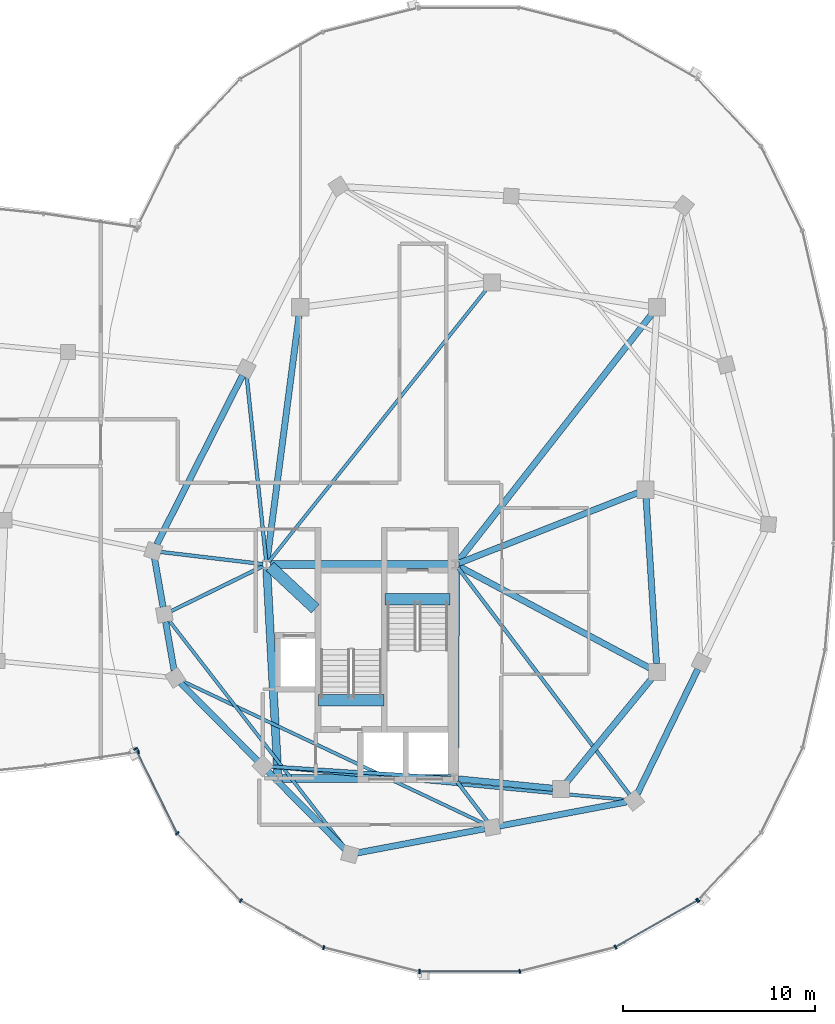
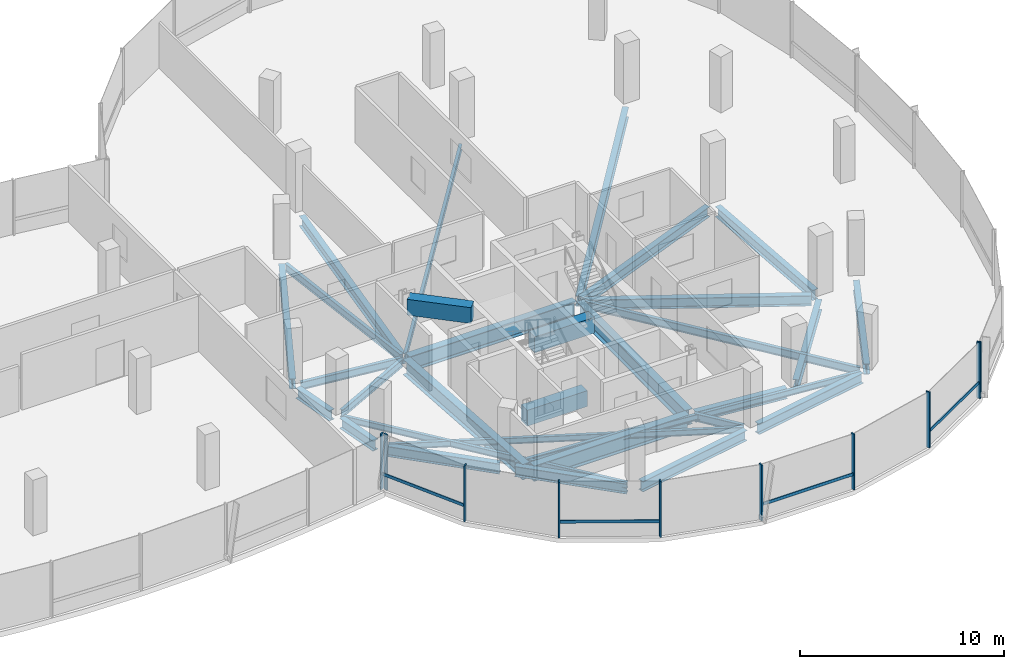
# One storey, part 8 of 25: 32 beams, 14 members, 3 elements without a shape of their own.
"""IFC4 building model written with IfcOpenShell, lengths in metres."""

from ifc_helpers import new_model, si_unit, direction, frame, origin, origin_2d, place, context, subcontext, project, spatial, rectangle, i_section, extrude, material, material_profile, profile_set, type_object, element, aggregate, save


model = new_model("IFC4")

# Units and contexts
model_context = context("Model", 3, precision=1e-05, world=origin(), true_north=direction((0.0, 1.0)))
body_context = subcontext(model_context, "Body", "Model", "MODEL_VIEW")
ifc_project = project(units=[si_unit("LENGTHUNIT", "METRE"), si_unit("AREAUNIT", "SQUARE_METRE"), si_unit("VOLUMEUNIT", "CUBIC_METRE"), si_unit("PLANEANGLEUNIT", "RADIAN"), si_unit("MASSUNIT", "GRAM", prefix="KILO"), si_unit("THERMODYNAMICTEMPERATUREUNIT", "KELVIN"), si_unit("POWERUNIT", "WATT")], contexts=[model_context])

# Site, building, storey
site_placement = place(None, origin())
site = spatial("IfcSite", under=ifc_project, at=site_placement, CompositionType="ELEMENT")
building_placement = place(site_placement, origin())
building = spatial("IfcBuilding", under=site, at=building_placement, Name="Cundina Bronze Exchange", CompositionType="ELEMENT")
storey_placement = place(building_placement, frame((0.0, 0.0, 272.0)))
storey = spatial("IfcBuildingStorey", under=building, at=storey_placement, Name="L72", CompositionType="ELEMENT", Elevation=272.0)

# Beams
ifc_material_1 = material(Name="Concrete C60/75", Category="concrete")
ifc_material_profile_1 = material_profile(ifc_material_1, rectangle(XDim=0.60009765625, YDim=0.949951171875, at=origin_2d()), Name="RC600X950", Category="concrete")
ifc_profile_set_1 = profile_set([ifc_material_profile_1], Name="Concrete C60/75")
beam_type_1 = type_object("IfcBeamType", Name="BM-COUP-RC950", PredefinedType="LINTEL", material=ifc_profile_set_1)
beam_1_placement = place(storey_placement, frame((27.6201171875, -5.719970703125, -0.47509765625), z_axis=(1.0, 0.0, 0.0), x_axis=(0.0, 1.0, 0.0)))
element("IfcBeam", 1, at=beam_1_placement, inside=storey, type_object=beam_type_1, Name="L72 Stair E1 Landing Header Beam", PredefinedType="LINTEL", context=body_context, shape_type="SweptSolid", body=[
    extrude(rectangle(XDim=0.60009765625, YDim=0.949951171875, at=origin_2d()), origin(), (0.0, 0.0, 1.0), 3.39990234375),
])
beam_2_placement = place(storey_placement, frame((24.159912109375, -10.97998046875, -0.47509765625), z_axis=(1.0, 0.0, 0.0), x_axis=(0.0, 1.0, 0.0)))
element("IfcBeam", 2, at=beam_2_placement, inside=storey, type_object=beam_type_1, Name="L72 Stair E2 Landing Header Beam", PredefinedType="LINTEL", context=body_context, shape_type="SweptSolid", body=[
    extrude(rectangle(XDim=0.60009765625, YDim=0.949951171875, at=origin_2d()), origin(), (0.0, 0.0, 1.0), 3.400146484375),
])
beam_3_placement = place(storey_placement, frame((21.6298828125, -4.0, 2.864990234375), z_axis=(0.731490439815, -0.681851696822, 0.0), x_axis=(0.681851696822, 0.731490439815, 0.0)))
element("IfcBeam", 3, at=beam_3_placement, inside=storey, type_object=beam_type_1, Name="L72 E Core Shear Coupling Lintel Beam", PredefinedType="LINTEL", context=body_context, shape_type="SweptSolid", body=[
    extrude(rectangle(XDim=0.60009765625, YDim=0.949951171875, at=origin_2d()), origin(), (0.0, 0.0, 1.0), 3.226318359375),
])
ifc_material_2 = material(Name="Steel ASTM A992 Grade 50", Category="steel")
ifc_material_profile_2 = material_profile(ifc_material_2, i_section(OverallWidth=0.19091796875, OverallDepth=0.4599609375, WebThickness=0.010009765625, FlangeThickness=0.01611328125, FilletRadius=0.011962890625, at=origin_2d()), Name="W18X55", Category="steel")
ifc_profile_set_2 = profile_set([ifc_material_profile_2], Name="Steel ASTM A992 Grade 50")
beam_type_2 = type_object("IfcBeamType", Name="BM-FLR-W18B", PredefinedType="BEAM", material=ifc_profile_set_2)
beam_4_placement = place(storey_placement, frame((21.25537109375, -3.876953125, -0.489990234375), z_axis=(-0.993031892142, 0.117845921393, 0.0), x_axis=(-0.117845921393, -0.993031892142, 0.0)))
element("IfcBeam", 4, at=beam_4_placement, inside=storey, type_object=beam_type_2, Name="L72 Leg E Chordal Floor Beam 00", PredefinedType="BEAM", context=body_context, shape_type="SweptSolid", body=[
    extrude(i_section(OverallWidth=0.19091796875, OverallDepth=0.4599609375, WebThickness=0.010009765625, FlangeThickness=0.01611328125, FilletRadius=0.011962890625, at=origin_2d()), origin(), (0.0, 0.0, 1.0), 5.357421875),
])
beam_5_placement = place(storey_placement, frame((21.27392578125, -3.986083984375, -0.489990234375), z_axis=(-0.898610260891, -0.438747762412, 0.0), x_axis=(0.438747762412, -0.898610260891, 0.0)))
element("IfcBeam", 5, at=beam_5_placement, inside=storey, type_object=beam_type_2, Name="L72 Leg E Chordal Floor Beam 01", PredefinedType="BEAM", context=body_context, shape_type="SweptSolid", body=[
    extrude(i_section(OverallWidth=0.19091796875, OverallDepth=0.4599609375, WebThickness=0.010009765625, FlangeThickness=0.01611328125, FilletRadius=0.011962890625, at=origin_2d()), origin(), (0.0, 0.0, 1.0), 5.341796875),
])
beam_6_placement = place(storey_placement, frame((31.054443359375, -15.037353515625, -0.489990234375), z_axis=(-0.997894580734, 0.064856809527, 0.0), x_axis=(-0.064856809527, -0.997894580734, 0.0)))
element("IfcBeam", 6, at=beam_6_placement, inside=storey, type_object=beam_type_2, Name="L72 Leg E Chordal Floor Beam 03", PredefinedType="BEAM", context=body_context, shape_type="SweptSolid", body=[
    extrude(i_section(OverallWidth=0.19091796875, OverallDepth=0.4599609375, WebThickness=0.010009765625, FlangeThickness=0.01611328125, FilletRadius=0.011962890625, at=origin_2d()), origin(), (0.0, 0.0, 1.0), 9.43701171875),
])
beam_7_placement = place(storey_placement, frame((31.369140625, -15.205810546875, -0.489990234375), z_axis=(0.607470812638, -0.794341999263, 0.0), x_axis=(0.794341999263, 0.607470812638, 0.0)))
element("IfcBeam", 7, at=beam_7_placement, inside=storey, type_object=beam_type_2, Name="L72 Leg E Chordal Floor Beam 05", PredefinedType="BEAM", context=body_context, shape_type="SweptSolid", body=[
    extrude(i_section(OverallWidth=0.19091796875, OverallDepth=0.4599609375, WebThickness=0.010009765625, FlangeThickness=0.01611328125, FilletRadius=0.011962890625, at=origin_2d()), origin(), (0.0, 0.0, 1.0), 2.6259765625),
])
beam_8_placement = place(storey_placement, frame((31.418212890625, -4.056396484375, -0.489990234375), z_axis=(0.603112871583, -0.797655855699, 0.0), x_axis=(0.797655855699, 0.603112871583, 0.0)))
element("IfcBeam", 8, at=beam_8_placement, inside=storey, type_object=beam_type_2, Name="L72 Leg E Chordal Floor Beam 06", PredefinedType="BEAM", context=body_context, shape_type="SweptSolid", body=[
    extrude(i_section(OverallWidth=0.19091796875, OverallDepth=0.4599609375, WebThickness=0.010009765625, FlangeThickness=0.01611328125, FilletRadius=0.011962890625, at=origin_2d()), origin(), (0.0, 0.0, 1.0), 14.8359375),
])
beam_9_placement = place(storey_placement, frame((21.429443359375, -3.705078125, -0.489990234375), z_axis=(-0.10480040809, 0.994493275223, 0.0), x_axis=(-0.994493275223, -0.10480040809, 0.0)))
element("IfcBeam", 9, at=beam_9_placement, inside=storey, type_object=beam_type_2, Name="L72 Leg E Chordal Floor Beam 13", PredefinedType="BEAM", context=body_context, shape_type="SweptSolid", body=[
    extrude(i_section(OverallWidth=0.19091796875, OverallDepth=0.4599609375, WebThickness=0.010009765625, FlangeThickness=0.01611328125, FilletRadius=0.011962890625, at=origin_2d()), origin(), (0.0, 0.0, 1.0), 9.67236328125),
])
ifc_material_profile_3 = material_profile(ifc_material_2, i_section(OverallWidth=0.172119140625, OverallDepth=0.35791015625, WebThickness=0.0078125, FlangeThickness=0.01318359375, FilletRadius=0.010009765625, at=origin_2d()), Name="W14X38", Category="steel")
ifc_profile_set_3 = profile_set([ifc_material_profile_3], Name="Steel ASTM A992 Grade 50")
beam_type_3 = type_object("IfcBeamType", Name="BM-JST-W14", PredefinedType="JOIST", material=ifc_profile_set_3)
beam_10_placement = place(storey_placement, frame((21.572509765625, -3.746826171875, -0.43896484375), z_axis=(0.624364266872, 0.781133319129, 0.0), x_axis=(-0.781133319129, 0.624364266872, 0.0)))
element("IfcBeam", 10, at=beam_10_placement, inside=storey, type_object=beam_type_3, Name="L72 E Interior Core-to-Ring Joist 2", PredefinedType="JOIST", context=body_context, shape_type="SweptSolid", body=[
    extrude(i_section(OverallWidth=0.172119140625, OverallDepth=0.35791015625, WebThickness=0.0078125, FlangeThickness=0.01318359375, FilletRadius=0.010009765625, at=origin_2d()), origin(), (0.0, 0.0, 1.0), 18.184814453125),
])
beam_11_placement = place(storey_placement, frame((16.362548828125, -6.806884765625, -0.43896484375), z_axis=(0.612077855816, -0.790797507849, 0.0), x_axis=(0.790797507849, 0.612077855816, 0.0)))
element("IfcBeam", 11, at=beam_11_placement, inside=storey, type_object=beam_type_3, Name="L72 Leg E Lobe Floor Joist 01-04", PredefinedType="JOIST", context=body_context, shape_type="SweptSolid", body=[
    extrude(i_section(OverallWidth=0.172119140625, OverallDepth=0.35791015625, WebThickness=0.0078125, FlangeThickness=0.01318359375, FilletRadius=0.010009765625, at=origin_2d()), origin(), (0.0, 0.0, 1.0), 15.03076171875),
])
beam_12_placement = place(storey_placement, frame((17.05078125, -9.9658203125, -0.43896484375), z_axis=(0.904073247994, -0.427377540661, 0.0), x_axis=(0.427377540661, 0.904073247994, 0.0)))
element("IfcBeam", 12, at=beam_12_placement, inside=storey, type_object=beam_type_3, Name="L72 Leg E Lobe Floor Joist 02-05", PredefinedType="JOIST", context=body_context, shape_type="SweptSolid", body=[
    extrude(i_section(OverallWidth=0.172119140625, OverallDepth=0.35791015625, WebThickness=0.0078125, FlangeThickness=0.01318359375, FilletRadius=0.010009765625, at=origin_2d()), origin(), (0.0, 0.0, 1.0), 17.474609375),
])
beam_13_placement = place(storey_placement, frame((21.63623046875, -14.435791015625, -0.43896484375), z_axis=(0.995700514338, -0.092630911398, 0.0), x_axis=(0.092630911398, 0.995700514338, 0.0)))
element("IfcBeam", 13, at=beam_13_placement, inside=storey, type_object=beam_type_3, Name="L72 Leg E Lobe Floor Joist 03-06", PredefinedType="JOIST", context=body_context, shape_type="SweptSolid", body=[
    extrude(i_section(OverallWidth=0.172119140625, OverallDepth=0.35791015625, WebThickness=0.0078125, FlangeThickness=0.01318359375, FilletRadius=0.010009765625, at=origin_2d()), origin(), (0.0, 0.0, 1.0), 18.65771484375),
])
ifc_material_profile_4 = material_profile(ifc_material_2, i_section(OverallWidth=0.324951171875, OverallDepth=0.615966796875, WebThickness=0.013916015625, FlangeThickness=0.021484375, FilletRadius=0.01611328125, at=origin_2d()), Name="W24X117", Category="steel")
ifc_profile_set_4 = profile_set([ifc_material_profile_4], Name="Steel ASTM A992 Grade 50")
beam_type_4 = type_object("IfcBeamType", Name="BM-RING-W24", PredefinedType="USERDEFINED", material=ifc_profile_set_4)
beam_14_placement = place(storey_placement, frame((31.445068359375, -15.0693359375, -0.568115234375), z_axis=(0.995123854478, -0.09863323096, 0.0), x_axis=(0.09863323096, 0.995123854478, 0.0)))
element("IfcBeam", 14, at=beam_14_placement, inside=storey, type_object=beam_type_4, Name="L72 E Inner Structural Ring Girder 01", ObjectType="GIRDER", PredefinedType="USERDEFINED", context=body_context, shape_type="SweptSolid", body=[
    extrude(i_section(OverallWidth=0.324951171875, OverallDepth=0.615966796875, WebThickness=0.013916015625, FlangeThickness=0.021484375, FilletRadius=0.01611328125, at=origin_2d()), origin(), (0.0, 0.0, 1.0), 4.943115234375),
])
beam_15_placement = place(storey_placement, frame((37.07763671875, -15.26123046875, -0.568115234375), z_axis=(0.633912590175, 0.77340469873, 0.0), x_axis=(-0.77340469873, 0.633912590175, 0.0)))
element("IfcBeam", 15, at=beam_15_placement, inside=storey, type_object=beam_type_4, Name="L72 E Inner Structural Ring Girder 02", ObjectType="GIRDER", PredefinedType="USERDEFINED", context=body_context, shape_type="SweptSolid", body=[
    extrude(i_section(OverallWidth=0.324951171875, OverallDepth=0.615966796875, WebThickness=0.013916015625, FlangeThickness=0.021484375, FilletRadius=0.01611328125, at=origin_2d()), origin(), (0.0, 0.0, 1.0), 7.01123046875),
])
beam_16_placement = place(storey_placement, frame((41.7724609375, -9.06298828125, -0.568115234375), z_axis=(-0.063046519736, 0.998010589297, 0.0), x_axis=(-0.998010589297, -0.063046519736, 0.0)))
element("IfcBeam", 16, at=beam_16_placement, inside=storey, type_object=beam_type_4, Name="L72 E Inner Structural Ring Girder 03", ObjectType="GIRDER", PredefinedType="USERDEFINED", context=body_context, shape_type="SweptSolid", body=[
    extrude(i_section(OverallWidth=0.324951171875, OverallDepth=0.615966796875, WebThickness=0.013916015625, FlangeThickness=0.021484375, FilletRadius=0.01611328125, at=origin_2d()), origin(), (0.0, 0.0, 1.0), 8.64306640625),
])
beam_17_placement = place(storey_placement, frame((23.143310546875, 9.065673828125, -0.568115234375), z_axis=(-0.129501251979, -0.991579258424, 0.0), x_axis=(0.991579258424, -0.129501251979, 0.0)))
element("IfcBeam", 17, at=beam_17_placement, inside=storey, type_object=beam_type_4, Name="L72 E Inner Structural Ring Girder 07", ObjectType="GIRDER", PredefinedType="USERDEFINED", context=body_context, shape_type="SweptSolid", body=[
    extrude(i_section(OverallWidth=0.324951171875, OverallDepth=0.615966796875, WebThickness=0.013916015625, FlangeThickness=0.021484375, FilletRadius=0.01611328125, at=origin_2d()), origin(), (0.0, 0.0, 1.0), 12.8798828125),
])
beam_18_placement = place(storey_placement, frame((31.482421875, -3.828125, -0.568115234375), z_axis=(0.930404106569, 0.366535398673, 0.0), x_axis=(-0.366535398673, 0.930404106569, 0.0)))
element("IfcBeam", 18, at=beam_18_placement, inside=storey, type_object=beam_type_4, Name="L72 E Core-to-Waist Tie Beam 1", ObjectType="GIRDER", PredefinedType="USERDEFINED", context=body_context, shape_type="SweptSolid", body=[
    extrude(i_section(OverallWidth=0.324951171875, OverallDepth=0.615966796875, WebThickness=0.013916015625, FlangeThickness=0.021484375, FilletRadius=0.01611328125, at=origin_2d()), origin(), (0.0, 0.0, 1.0), 10.00634765625),
])
beam_19_placement = place(storey_placement, frame((31.472900390625, -3.9921875, -0.568115234375), z_axis=(0.882350541683, -0.470592734317, 0.0), x_axis=(0.470592734317, 0.882350541683, 0.0)))
element("IfcBeam", 19, at=beam_19_placement, inside=storey, type_object=beam_type_4, Name="L72 E Core-to-Waist Tie Beam 2", ObjectType="GIRDER", PredefinedType="USERDEFINED", context=body_context, shape_type="SweptSolid", body=[
    extrude(i_section(OverallWidth=0.324951171875, OverallDepth=0.615966796875, WebThickness=0.013916015625, FlangeThickness=0.021484375, FilletRadius=0.01611328125, at=origin_2d()), origin(), (0.0, 0.0, 1.0), 11.26611328125),
])
beam_20_placement = place(storey_placement, frame((31.4208984375, -3.74560546875, -0.568115234375), z_axis=(0.616782900053, 0.787133314123, 0.0), x_axis=(-0.787133314123, 0.616782900053, 0.0)))
element("IfcBeam", 20, at=beam_20_placement, inside=storey, type_object=beam_type_4, Name="L72 E Core-to-Waist Tie Beam 3", ObjectType="GIRDER", PredefinedType="USERDEFINED", context=body_context, shape_type="SweptSolid", body=[
    extrude(i_section(OverallWidth=0.324951171875, OverallDepth=0.615966796875, WebThickness=0.013916015625, FlangeThickness=0.021484375, FilletRadius=0.01611328125, at=origin_2d()), origin(), (0.0, 0.0, 1.0), 16.3896484375),
])
for number, where, z_axis, x_axis, name in (
    (21, (15.61669921875, -3.582275390625, -0.568115234375), (0.171593362587, -0.985167862811, 0.0), (0.985167862811, 0.171593362587, 0.0), "L72 E Perimeter Ring Girder 00"),
    (22, (16.191650390625, -6.882080078125, -0.568115234375), (0.171593362587, -0.985167862811, 0.0), (0.985167862811, 0.171593362587, 0.0), "L72 E Perimeter Ring Girder 01"),
):
    element("IfcBeam", number, at=place(storey_placement, frame(where, z_axis=z_axis, x_axis=x_axis)), inside=storey, type_object=beam_type_4, Name=name, ObjectType="GIRDER", PredefinedType="USERDEFINED", context=body_context, shape_type="SweptSolid", body=[
        extrude(i_section(OverallWidth=0.324951171875, OverallDepth=0.615966796875, WebThickness=0.013916015625, FlangeThickness=0.021484375, FilletRadius=0.01611328125, at=origin_2d()), origin(), (0.0, 0.0, 1.0), 2.57373046875),
    ])
beam_21_placement = place(storey_placement, frame((16.972900390625, -10.075927734375, -0.568115234375), z_axis=(0.703237257446, -0.710955244541, 0.0), x_axis=(0.710955244541, 0.703237257446, 0.0)))
element("IfcBeam", 23, at=beam_21_placement, inside=storey, type_object=beam_type_4, Name="L72 E Perimeter Ring Girder 02", ObjectType="GIRDER", PredefinedType="USERDEFINED", context=body_context, shape_type="SweptSolid", body=[
    extrude(i_section(OverallWidth=0.324951171875, OverallDepth=0.615966796875, WebThickness=0.013916015625, FlangeThickness=0.021484375, FilletRadius=0.01611328125, at=origin_2d()), origin(), (0.0, 0.0, 1.0), 5.69384765625),
])
beam_22_placement = place(storey_placement, frame((21.52294921875, -14.67578125, -0.568115234375), z_axis=(0.703215820204, -0.710976448425, 0.0), x_axis=(0.710976448425, 0.703215820204, 0.0)))
element("IfcBeam", 24, at=beam_22_placement, inside=storey, type_object=beam_type_4, Name="L72 E Perimeter Ring Girder 03", ObjectType="GIRDER", PredefinedType="USERDEFINED", context=body_context, shape_type="SweptSolid", body=[
    extrude(i_section(OverallWidth=0.324951171875, OverallDepth=0.615966796875, WebThickness=0.013916015625, FlangeThickness=0.021484375, FilletRadius=0.01611328125, at=origin_2d()), origin(), (0.0, 0.0, 1.0), 5.694091796875),
])
beam_23_placement = place(storey_placement, frame((26.18115234375, -18.927978515625, -0.568115234375), z_axis=(0.982568104771, 0.185902984072, 0.0), x_axis=(-0.185902984072, 0.982568104771, 0.0)))
element("IfcBeam", 25, at=beam_23_placement, inside=storey, type_object=beam_type_4, Name="L72 E Perimeter Ring Girder 04", ObjectType="GIRDER", PredefinedType="USERDEFINED", context=body_context, shape_type="SweptSolid", body=[
    extrude(i_section(OverallWidth=0.324951171875, OverallDepth=0.615966796875, WebThickness=0.013916015625, FlangeThickness=0.021484375, FilletRadius=0.01611328125, at=origin_2d()), origin(), (0.0, 0.0, 1.0), 6.75537109375),
])
beam_24_placement = place(storey_placement, frame((33.581298828125, -17.52783203125, -0.568115234375), z_axis=(0.982573456977, 0.185874693392, 0.0), x_axis=(-0.185874693392, 0.982573456977, 0.0)))
element("IfcBeam", 26, at=beam_24_placement, inside=storey, type_object=beam_type_4, Name="L72 E Perimeter Ring Girder 05", ObjectType="GIRDER", PredefinedType="USERDEFINED", context=body_context, shape_type="SweptSolid", body=[
    extrude(i_section(OverallWidth=0.324951171875, OverallDepth=0.615966796875, WebThickness=0.013916015625, FlangeThickness=0.021484375, FilletRadius=0.01611328125, at=origin_2d()), origin(), (0.0, 0.0, 1.0), 6.755126953125),
])
beam_25_placement = place(storey_placement, frame((40.76953125, -15.85107421875, -0.568115234375), z_axis=(0.437216986791, 0.899356050995, 0.0), x_axis=(-0.899356050995, 0.437216986791, 0.0)))
element("IfcBeam", 27, at=beam_25_placement, inside=storey, type_object=beam_type_4, Name="L72 E Perimeter Ring Girder 06", ObjectType="GIRDER", PredefinedType="USERDEFINED", context=body_context, shape_type="SweptSolid", body=[
    extrude(i_section(OverallWidth=0.324951171875, OverallDepth=0.615966796875, WebThickness=0.013916015625, FlangeThickness=0.021484375, FilletRadius=0.01611328125, at=origin_2d()), origin(), (0.0, 0.0, 1.0), 7.2294921875),
])
beam_26_placement = place(storey_placement, frame((20.19921875, 5.9541015625, -0.568115234375), z_axis=(-0.452839263805, -0.891592171991, 0.0), x_axis=(0.891592171991, -0.452839263805, 0.0)))
element("IfcBeam", 28, at=beam_26_placement, inside=storey, type_object=beam_type_4, Name="L72 E Perimeter Ring Girder 13", ObjectType="GIRDER", PredefinedType="USERDEFINED", context=body_context, shape_type="SweptSolid", body=[
    extrude(i_section(OverallWidth=0.324951171875, OverallDepth=0.615966796875, WebThickness=0.013916015625, FlangeThickness=0.021484375, FilletRadius=0.01611328125, at=origin_2d()), origin(), (0.0, 0.0, 1.0), 9.879150390625),
])
ifc_material_profile_5 = material_profile(ifc_material_2, i_section(OverallWidth=0.41796875, OverallDepth=0.927001953125, WebThickness=0.019287109375, FlangeThickness=0.031982421875, FilletRadius=0.02392578125, at=origin_2d()), Name="W36X231", Category="steel")
ifc_profile_set_5 = profile_set([ifc_material_profile_5], Name="Steel ASTM A992 Grade 50")
beam_type_5 = type_object("IfcBeamType", Name="BM-WRN-W36B", PredefinedType="USERDEFINED", material=ifc_profile_set_5)
beam_27_placement = place(storey_placement, frame((31.10400390625, -3.89990234375, -0.723388671875), z_axis=(-1.0, 0.0, 0.0), x_axis=(0.0, -1.0, 0.0)))
element("IfcBeam", 29, at=beam_27_placement, inside=storey, type_object=beam_type_5, Name="L72 E Core Perimeter Tie Girder 1", ObjectType="GIRDER", PredefinedType="USERDEFINED", context=body_context, shape_type="SweptSolid", body=[
    extrude(i_section(OverallWidth=0.41796875, OverallDepth=0.927001953125, WebThickness=0.019287109375, FlangeThickness=0.031982421875, FilletRadius=0.02392578125, at=origin_2d()), origin(), (0.0, 0.0, 1.0), 9.4580078125),
])
beam_28_placement = place(storey_placement, frame((21.46044921875, -4.095703125, -0.723388671875), z_axis=(0.053749317644, -0.998554460634, 0.0), x_axis=(0.998554460634, 0.053749317644, 0.0)))
element("IfcBeam", 30, at=beam_28_placement, inside=storey, type_object=beam_type_5, Name="L72 E Core Perimeter Tie Girder 2", ObjectType="GIRDER", PredefinedType="USERDEFINED", context=body_context, shape_type="SweptSolid", body=[
    extrude(i_section(OverallWidth=0.41796875, OverallDepth=0.927001953125, WebThickness=0.019287109375, FlangeThickness=0.031982421875, FilletRadius=0.02392578125, at=origin_2d()), origin(), (0.0, 0.0, 1.0), 10.774169921875),
])
beam_29_placement = place(storey_placement, frame((22.24609375, -15.050048828125, -0.723388671875), z_axis=(1.0, 0.0, 0.0), x_axis=(0.0, 1.0, 0.0)))
element("IfcBeam", 31, at=beam_29_placement, inside=storey, type_object=beam_type_5, Name="L72 E Core Perimeter Tie Girder 3", ObjectType="GIRDER", PredefinedType="USERDEFINED", context=body_context, shape_type="SweptSolid", body=[
    extrude(i_section(OverallWidth=0.41796875, OverallDepth=0.927001953125, WebThickness=0.019287109375, FlangeThickness=0.031982421875, FilletRadius=0.02392578125, at=origin_2d()), origin(), (0.0, 0.0, 1.0), 8.807861328125),
])
beam_30_placement = place(storey_placement, frame((31.2509765625, -14.85400390625, -0.723388671875), z_axis=(0.004470623654, 0.999990006712, 0.0), x_axis=(-0.999990006712, 0.004470623654, 0.0)))
element("IfcBeam", 32, at=beam_30_placement, inside=storey, type_object=beam_type_5, Name="L72 E Core Perimeter Tie Girder 4", ObjectType="GIRDER", PredefinedType="USERDEFINED", context=body_context, shape_type="SweptSolid", body=[
    extrude(i_section(OverallWidth=0.41796875, OverallDepth=0.927001953125, WebThickness=0.019287109375, FlangeThickness=0.031982421875, FilletRadius=0.02392578125, at=origin_2d()), origin(), (0.0, 0.0, 1.0), 10.758056640625),
])

# Curtain wall, members
ifc_material_3 = material(Name="Anodised Bronze Aluminium 6063-T6", Category="aluminium")
curtain_wall_type = type_object("IfcCurtainWallType", Name="CWS-SKG-BRG", PredefinedType="NOTDEFINED", material=ifc_material_3)
curtain_wall_1_placement = place(storey_placement, origin())
curtain_wall_1 = element("IfcCurtainWall", 33, at=curtain_wall_1_placement, inside=storey, type_object=curtain_wall_type, Name="L72 CW-06 Curtain Wall Run CWR-L72-E3", PredefinedType="NOTDEFINED")
ifc_material_profile_6 = material_profile(ifc_material_3, rectangle(XDim=0.074951171875, YDim=0.219970703125, at=origin_2d()), Name="AL75X220", Category="aluminium")
ifc_profile_set_6 = profile_set([ifc_material_profile_6], Name="Anodised Bronze Aluminium 6063-T6")
member_type_1 = type_object("IfcMemberType", Name="CWM-MUL-220", PredefinedType="MULLION", material=ifc_profile_set_6)
member_1_placement = place(storey_placement, frame((14.630859375, -13.50390625, 0.0), z_axis=(0.0, 0.0, 1.0), x_axis=(0.440566004113, -0.897720221461, 0.0)))
member_1 = element("IfcMember", 34, at=member_1_placement, type_object=member_type_1, Name="CW-06 Mullion 1", PredefinedType="MULLION", context=body_context, shape_type="SweptSolid", body=[
    extrude(rectangle(XDim=0.074951171875, YDim=0.219970703125, at=origin_2d()), origin(), (0.0, 0.0, 1.0), 3.340087890625),
])
member_2_placement = place(storey_placement, frame((16.8037109375, -17.910400390625, 0.0), z_axis=(0.0, 0.0, 1.0), x_axis=(0.684292606175, -0.729207535023, 0.0)))
member_2 = element("IfcMember", 35, at=member_2_placement, type_object=member_type_1, Name="CW-06 Mullion 2", PredefinedType="MULLION", context=body_context, shape_type="SweptSolid", body=[
    extrude(rectangle(XDim=0.074951171875, YDim=0.219970703125, at=origin_2d()), origin(), (0.0, 0.0, 1.0), 3.340087890625),
])
member_3_placement = place(storey_placement, frame((20.11083984375, -21.419921875, 0.0), z_axis=(0.0, 0.0, 1.0), x_axis=(0.86958112538, -0.493790103568, 0.0)))
member_3 = element("IfcMember", 36, at=member_3_placement, type_object=member_type_1, Name="CW-06 Mullion 3", PredefinedType="MULLION", context=body_context, shape_type="SweptSolid", body=[
    extrude(rectangle(XDim=0.074951171875, YDim=0.219970703125, at=origin_2d()), origin(), (0.0, 0.0, 1.0), 3.340087890625),
])
member_4_placement = place(storey_placement, frame((24.4296875, -23.86181640625, 0.0), z_axis=(0.0, 0.0, 1.0), x_axis=(0.969744325821, -0.244122802168, 0.0)))
member_4 = element("IfcMember", 37, at=member_4_placement, type_object=member_type_1, Name="CW-06 Mullion 4", PredefinedType="MULLION", context=body_context, shape_type="SweptSolid", body=[
    extrude(rectangle(XDim=0.074951171875, YDim=0.219970703125, at=origin_2d()), origin(), (0.0, 0.0, 1.0), 3.340087890625),
])
member_5_placement = place(storey_placement, frame((29.423583984375, -25.110107421875, 0.0), z_axis=(0.0, 0.0, 1.0), x_axis=(1.0, 0.0, 0.0)))
member_5 = element("IfcMember", 38, at=member_5_placement, type_object=member_type_1, Name="CW-06 Mullion 5", PredefinedType="MULLION", context=body_context, shape_type="SweptSolid", body=[
    extrude(rectangle(XDim=0.074951171875, YDim=0.219970703125, at=origin_2d()), origin(), (0.0, 0.0, 1.0), 3.340087890625),
])
member_6_placement = place(storey_placement, frame((34.648193359375, -25.10107421875, 0.0), z_axis=(0.0, 0.0, 1.0), x_axis=(0.969744325821, 0.244122802168, 0.0)))
member_6 = element("IfcMember", 39, at=member_6_placement, type_object=member_type_1, Name="CW-06 Mullion 6", PredefinedType="MULLION", context=body_context, shape_type="SweptSolid", body=[
    extrude(rectangle(XDim=0.074951171875, YDim=0.219970703125, at=origin_2d()), origin(), (0.0, 0.0, 1.0), 3.340087890625),
])
member_7_placement = place(storey_placement, frame((39.634521484375, -23.8359375, 0.0), z_axis=(0.0, 0.0, 1.0), x_axis=(0.86958112538, 0.493790103568, 0.0)))
member_7 = element("IfcMember", 40, at=member_7_placement, type_object=member_type_1, Name="CW-06 Mullion 7", PredefinedType="MULLION", context=body_context, shape_type="SweptSolid", body=[
    extrude(rectangle(XDim=0.074951171875, YDim=0.219970703125, at=origin_2d()), origin(), (0.0, 0.0, 1.0), 3.340087890625),
])
member_8_placement = place(storey_placement, frame((43.88916015625, -21.419921875, 0.0), z_axis=(0.0, 0.0, 1.0), x_axis=(0.86958112538, 0.493790103568, 0.0)))
member_8 = element("IfcMember", 41, at=member_8_placement, type_object=member_type_1, Name="CW-06 End Mullion", PredefinedType="MULLION", context=body_context, shape_type="SweptSolid", body=[
    extrude(rectangle(XDim=0.074951171875, YDim=0.219970703125, at=origin_2d()), origin(), (0.0, 0.0, 1.0), 3.340087890625),
])

# Curtain wall, member
curtain_wall_2_placement = place(storey_placement, origin())
curtain_wall_2 = element("IfcCurtainWall", 42, at=curtain_wall_2_placement, inside=storey, type_object=curtain_wall_type, Name="L72 CW-06 Curtain Wall Run CWR-L72-E4", PredefinedType="NOTDEFINED")
member_9_placement = place(storey_placement, frame((43.940185546875, -21.3798828125, 0.0), z_axis=(0.0, 0.0, 1.0), x_axis=(0.684292606175, 0.729207535023, 0.0)))
member_9 = element("IfcMember", 43, at=member_9_placement, type_object=member_type_1, Name="CW-06 Mullion 1", PredefinedType="MULLION", context=body_context, shape_type="SweptSolid", body=[
    extrude(rectangle(XDim=0.074951171875, YDim=0.219970703125, at=origin_2d()), origin(), (0.0, 0.0, 1.0), 3.340087890625),
])
aggregate(curtain_wall_2, [member_9])

curtain_wall_3_placement = place(storey_placement, origin())
curtain_wall_3 = element("IfcCurtainWall", 44, at=curtain_wall_3_placement, inside=storey, type_object=curtain_wall_type, Name="L72 CW-06 Curtain Wall Run CWR-L72-BRGS", PredefinedType="NOTDEFINED")
member_10_placement = place(storey_placement, frame((14.779296875, -13.658935546875, 0.0), z_axis=(0.0, 0.0, 1.0), x_axis=(0.989525789069, 0.144356201001, 0.0)))
member_10 = element("IfcMember", 45, at=member_10_placement, type_object=member_type_1, Name="CW-06 End Mullion", PredefinedType="MULLION", context=body_context, shape_type="SweptSolid", body=[
    extrude(rectangle(XDim=0.074951171875, YDim=0.219970703125, at=origin_2d()), origin(), (0.0, 0.0, 1.0), 3.330078125),
])
aggregate(curtain_wall_3, [member_10])

# Member
ifc_material_profile_7 = material_profile(ifc_material_3, rectangle(XDim=0.070068359375, YDim=0.179931640625, at=origin_2d()), Name="AL70X180", Category="aluminium")
ifc_profile_set_7 = profile_set([ifc_material_profile_7], Name="Anodised Bronze Aluminium 6063-T6")
member_type_2 = type_object("IfcMemberType", Name="CWM-TRN-180", PredefinedType="USERDEFINED", material=ifc_profile_set_7)
member_11_placement = place(storey_placement, frame((14.64892578125, -13.541015625, 0.919921875), z_axis=(0.440554408939, -0.897725911826, 0.0), x_axis=(0.897725911826, 0.440554408939, 0.0)))
member_11 = element("IfcMember", 46, at=member_11_placement, type_object=member_type_2, Name="CW-06 Spandrel Transom 1", ObjectType="TRANSOM", PredefinedType="USERDEFINED", context=body_context, shape_type="SweptSolid", body=[
    extrude(rectangle(XDim=0.070068359375, YDim=0.179931640625, at=origin_2d()), origin(), (0.0, 0.0, 1.0), 4.848388671875),
])

member_12_placement = place(storey_placement, frame((20.146728515625, -21.440185546875, 0.919921875), z_axis=(0.869557366176, -0.493831941989, 0.0), x_axis=(0.493831941989, 0.869557366176, 0.0)))
member_12 = element("IfcMember", 47, at=member_12_placement, type_object=member_type_2, Name="CW-06 Spandrel Transom 3", ObjectType="TRANSOM", PredefinedType="USERDEFINED", context=body_context, shape_type="SweptSolid", body=[
    extrude(rectangle(XDim=0.070068359375, YDim=0.179931640625, at=origin_2d()), origin(), (0.0, 0.0, 1.0), 4.892822265625),
])

member_13_placement = place(storey_placement, frame((29.464599609375, -25.110107421875, 0.919921875), z_axis=(1.0, 0.0, 0.0), x_axis=(0.0, 1.0, 0.0)))
member_13 = element("IfcMember", 48, at=member_13_placement, type_object=member_type_2, Name="CW-06 Spandrel Transom 5", ObjectType="TRANSOM", PredefinedType="USERDEFINED", context=body_context, shape_type="SweptSolid", body=[
    extrude(rectangle(XDim=0.070068359375, YDim=0.179931640625, at=origin_2d()), origin(), (0.0, 0.0, 1.0), 5.1533203125),
])

member_14_placement = place(storey_placement, frame((39.67041015625, -23.815673828125, 0.919921875), z_axis=(0.869558105282, 0.493830640542, 0.0), x_axis=(-0.493830640542, 0.869558105282, 0.0)))
member_14 = element("IfcMember", 49, at=member_14_placement, type_object=member_type_2, Name="CW-06 Spandrel Transom 7", ObjectType="TRANSOM", PredefinedType="USERDEFINED", context=body_context, shape_type="SweptSolid", body=[
    extrude(rectangle(XDim=0.070068359375, YDim=0.179931640625, at=origin_2d()), origin(), (0.0, 0.0, 1.0), 4.810302734375),
])

aggregate(curtain_wall_1, [member_1, member_11, member_2, member_3, member_12, member_4, member_5, member_13, member_6, member_7, member_8, member_14])

save(model, "model.ifc")
